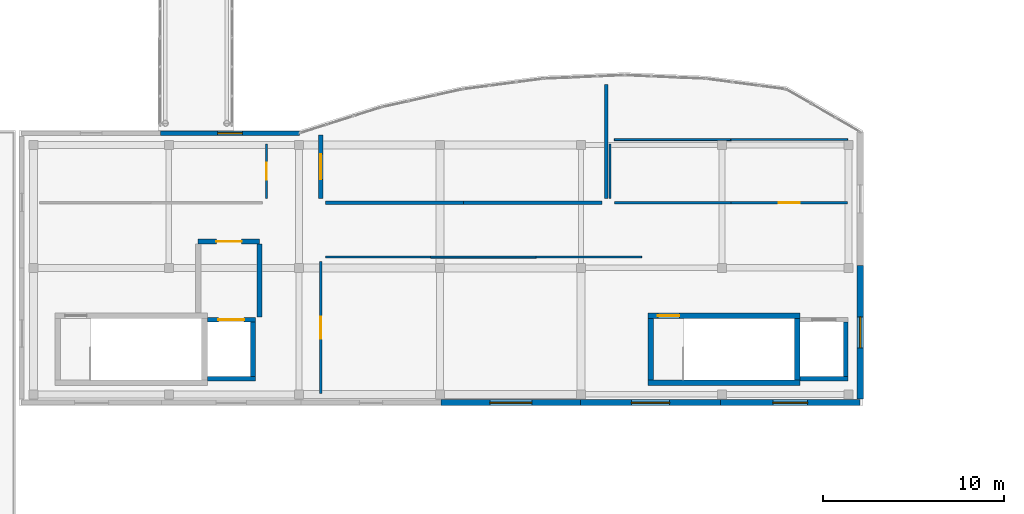
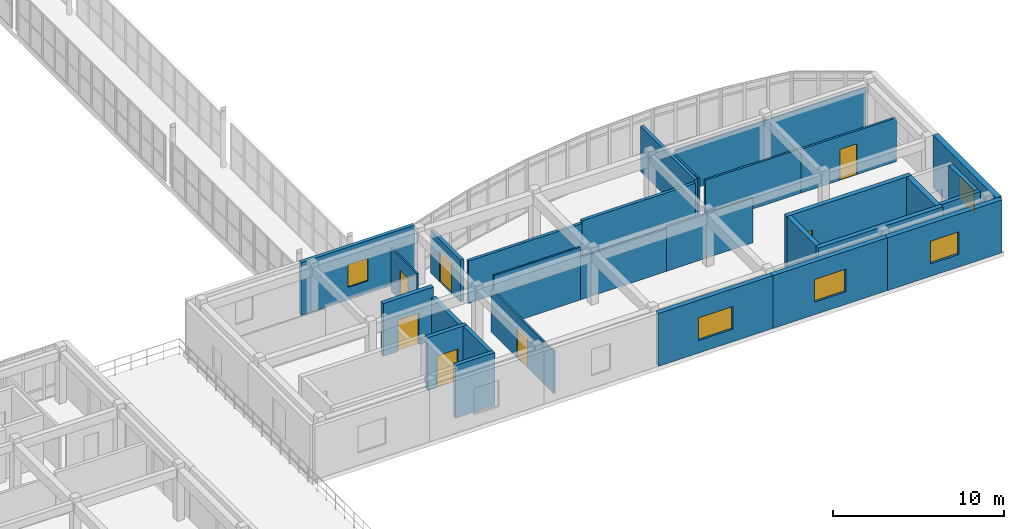
# One storey, part 48 of 52: 30 walls, 7 doors, 5 windows, 12 openings.
"""IFC4 building model written with IfcOpenShell, lengths in metres."""

from ifc_helpers import new_model, si_unit, direction, frame, frame_2d, origin, place, context, subcontext, project, spatial, rectangle, extrude, material, layer, layer_set, type_object, element, fill, save


model = new_model("IFC4")

# Units and contexts
model_context = context("Model", 3, precision=1e-05, world=origin(), true_north=direction((0.0, 1.0)))
body_context = subcontext(model_context, "Body", "Model", "MODEL_VIEW")
ifc_project = project(units=[si_unit("LENGTHUNIT", "METRE"), si_unit("AREAUNIT", "SQUARE_METRE"), si_unit("VOLUMEUNIT", "CUBIC_METRE"), si_unit("PLANEANGLEUNIT", "RADIAN"), si_unit("MASSUNIT", "GRAM", prefix="KILO")], contexts=[model_context])

# Site, building, storey
site_placement = place(None, origin())
site = spatial("IfcSite", under=ifc_project, at=site_placement, CompositionType="ELEMENT")
building_placement = place(site_placement, origin())
building = spatial("IfcBuilding", under=site, at=building_placement, Name="Valcora Specialist Clinic", CompositionType="ELEMENT")
storey_placement = place(building_placement, frame((0.0, 0.0, 17.679931640625)))
storey = spatial("IfcBuildingStorey", under=building, at=storey_placement, Name="L04", CompositionType="ELEMENT", Elevation=17.679931640625)

# Wall, opening, door
ifc_material_1 = material(Name="Concrete C40/50", Category="concrete")
ifc_layer_1 = layer(ifc_material_1, 0.284912109375)
ifc_layer_set_1 = layer_set([ifc_layer_1], Name="Concrete C40/50")
wall_type_1 = type_object("IfcWallType", Name="TY-WL-CR285", PredefinedType="SHEAR", material=ifc_layer_set_1)
wall_1_placement = place(storey_placement, frame((63.419921875, 16.659912109375, 0.0), z_axis=(0.0, 0.0, 1.0), x_axis=(1.0, 0.0, 0.0)))
wall_1 = element("IfcWall", 1, at=wall_1_placement, inside=storey, type_object=wall_type_1, Name="Firefighting lobby front wall WL-FFL-LF-07-L04-F", PredefinedType="SHEAR", context=body_context, shape_type="SweptSolid", body=[
    extrude(rectangle(XDim=3.400146484375, YDim=0.284912109375, at=frame_2d((1.7001953125, 0.0))), origin(), (0.0, 0.0, 1.0), 3.775146484375),
])
opening_1_placement = place(wall_1_placement, frame((1.0, 0.0, 0.0)))
opening_1 = element("IfcOpeningElement", 2, at=opening_1_placement, cuts=wall_1, Name="Opening DR-FF-140", PredefinedType="OPENING", context=body_context, shape_type="SweptSolid", body=[
    extrude(rectangle(XDim=1.39990234375, YDim=2.25, at=frame_2d((0.699951171875, 1.125))), frame((0.0, 0.15234375, 0.0), z_axis=(0.0, -1.0, 0.0), x_axis=(1.0, 0.0, 0.0)), (0.0, 0.0, 1.0), 0.304931640625),
])
ifc_material_2 = material(Name="Galvanized Hollow Metal Door Steel ASTM A653", Category="steel")
door_type_1 = type_object("IfcDoorType", Name="TY-DR-FF140", OperationType="NOTDEFINED", PredefinedType="DOOR", material=ifc_material_2)
door_1_placement = place(opening_1_placement, origin())
door_1 = element("IfcDoor", 3, at=door_1_placement, inside=storey, type_object=door_type_1, Name="Firefighting lobby fire door LF-07 L04", OperationType="SINGLE_SWING_RIGHT", OverallHeight=2.25, OverallWidth=1.39990234375, PredefinedType="DOOR", context=body_context, shape_type="SweptSolid", body=[
    extrude(rectangle(XDim=1.39990234375, YDim=2.25, at=frame_2d((0.699951171875, 1.125))), frame((0.0, 0.02490234375, 0.0), z_axis=(0.0, -1.0, 0.0), x_axis=(1.0, 0.0, 0.0)), (0.0, 0.0, 1.0), 0.050048828125),
])
fill(opening_1, door_1)

# Walls
wall_2_placement = place(storey_placement, frame((66.820068359375, 12.47998046875, 0.0), z_axis=(0.0, 0.0, 1.0), x_axis=(0.0, 1.0, 0.0)))
element("IfcWall", 4, at=wall_2_placement, inside=storey, type_object=wall_type_1, Name="Firefighting lobby east wall", PredefinedType="SHEAR", context=body_context, shape_type="SweptSolid", body=[
    extrude(rectangle(XDim=4.030029296875, YDim=0.284912109375, at=frame_2d((2.01513671875, 0.0))), origin(), (0.0, 0.0, 1.0), 3.074951171875),
])
ifc_layer_2 = layer(ifc_material_1, 0.300048828125)
ifc_layer_set_2 = layer_set([ifc_layer_2], Name="Concrete C40/50")
wall_type_2 = type_object("IfcWallType", Name="TY-WL-CR300", PredefinedType="SHEAR", material=ifc_layer_set_2)
wall_3_placement = place(storey_placement, frame((88.300048828125, 8.85009765625, 0.0), z_axis=(0.0, 0.0, 1.0), x_axis=(1.0, 0.0, 0.0)))
element("IfcWall", 5, at=wall_3_placement, inside=storey, type_object=wall_type_2, Name="Core shear wall WL-CR-C-V6B-L04-S", PredefinedType="SHEAR", context=body_context, shape_type="SweptSolid", body=[
    extrude(rectangle(XDim=8.419921875, YDim=0.300048828125, at=frame_2d((4.2099609375, 0.0))), origin(), (0.0, 0.0, 1.0), 3.775146484375),
])

# Wall, opening, door
wall_4_placement = place(storey_placement, frame((88.300048828125, 12.550048828125, 0.0), z_axis=(0.0, 0.0, 1.0), x_axis=(1.0, 0.0, 0.0)))
wall_4 = element("IfcWall", 6, at=wall_4_placement, inside=storey, type_object=wall_type_2, Name="Core shear wall WL-CR-C-V6B-L04-N", PredefinedType="SHEAR", context=body_context, shape_type="SweptSolid", body=[
    extrude(rectangle(XDim=8.419921875, YDim=0.300048828125, at=frame_2d((4.2099609375, 0.0))), origin(), (0.0, 0.0, 1.0), 3.775146484375),
])
opening_2_placement = place(wall_4_placement, frame((0.550048828125, 0.0, 0.0)))
opening_2 = element("IfcOpeningElement", 7, at=opening_2_placement, cuts=wall_4, Name="Opening DR-FD-120", PredefinedType="OPENING", context=body_context, shape_type="SweptSolid", body=[
    extrude(rectangle(XDim=1.199951171875, YDim=2.199951171875, at=frame_2d((0.60009765625, 1.10009765625))), frame((0.0, 0.159912109375, 0.0), z_axis=(0.0, -1.0, 0.0), x_axis=(1.0, 0.0, 0.0)), (0.0, 0.0, 1.0), 0.320068359375),
])
door_type_2 = type_object("IfcDoorType", Name="TY-DR-ST120", OperationType="NOTDEFINED", PredefinedType="DOOR", material=ifc_material_2)
door_2_placement = place(opening_2_placement, origin())
door_2 = element("IfcDoor", 8, at=door_2_placement, inside=storey, type_object=door_type_2, Name="Exit stair fire door C-V6B L04", OperationType="SINGLE_SWING_RIGHT", OverallHeight=2.199951171875, OverallWidth=1.199951171875, PredefinedType="DOOR", context=body_context, shape_type="SweptSolid", body=[
    extrude(rectangle(XDim=1.199951171875, YDim=2.199951171875, at=frame_2d((0.60009765625, 1.10009765625))), frame((0.0, 0.02490234375, 0.0), z_axis=(0.0, -1.0, 0.0), x_axis=(1.0, 0.0, 0.0)), (0.0, 0.0, 1.0), 0.050048828125),
])
fill(opening_2, door_2)

# Walls
wall_5_placement = place(storey_placement, frame((88.449951171875, 9.001953125, 0.0), z_axis=(0.0, 0.0, 1.0), x_axis=(0.0, 1.0, 0.0)))
element("IfcWall", 9, at=wall_5_placement, inside=storey, type_object=wall_type_2, Name="Core shear wall WL-CR-C-V6B-L04-W", PredefinedType="SHEAR", context=body_context, shape_type="SweptSolid", body=[
    extrude(rectangle(XDim=3.39599609375, YDim=0.300048828125, at=frame_2d((1.697998046875, 0.0))), origin(), (0.0, 0.0, 1.0), 3.775146484375),
])
ifc_layer_3 = layer(ifc_material_1, 0.320068359375)
ifc_layer_set_3 = layer_set([ifc_layer_3], Name="Concrete C40/50")
wall_type_3 = type_object("IfcWallType", Name="TY-WL-CR320", PredefinedType="SHEAR", material=ifc_layer_set_3)
wall_6_placement = place(storey_placement, frame((96.56005859375, 9.001953125, 0.0), z_axis=(0.0, 0.0, 1.0), x_axis=(0.0, 1.0, 0.0)))
element("IfcWall", 10, at=wall_6_placement, inside=storey, type_object=wall_type_3, Name="Core shear wall WL-CR-C-V6B-L04-E", PredefinedType="SHEAR", context=body_context, shape_type="SweptSolid", body=[
    extrude(rectangle(XDim=3.39599609375, YDim=0.320068359375, at=frame_2d((1.697998046875, 0.0))), origin(), (0.0, 0.0, 1.0), 3.775146484375),
])

# Wall, opening, window
ifc_material_3 = material(Name="Extruded Jalisco Clay Brick Masonry", Category="masonry")
ifc_layer_4 = layer(ifc_material_3, 0.235107421875)
ifc_layer_set_4 = layer_set([ifc_layer_4], Name="Extruded Jalisco Clay Brick Masonry")
wall_type_4 = type_object("IfcWallType", Name="TY-WL-EW235", PredefinedType="SOLIDWALL", material=ifc_layer_set_4)
wall_7_placement = place(storey_placement, frame((61.336669921875, 22.64990234375, 0.0), z_axis=(0.0, 0.0, 1.0), x_axis=(1.0, 0.0, 0.0)))
wall_7 = element("IfcWall", 11, at=wall_7_placement, inside=storey, type_object=wall_type_4, Name="Exterior wall WL-EXT-L04-0380", PredefinedType="SOLIDWALL", context=body_context, shape_type="SweptSolid", body=[
    extrude(rectangle(XDim=7.6865234375, YDim=0.235107421875, at=frame_2d((3.84326171875, 0.0))), origin(), (0.0, 0.0, 1.0), 3.775146484375),
])
opening_3_placement = place(wall_7_placement, frame((3.1630859375, 0.0, 0.89990234375)))
opening_3 = element("IfcOpeningElement", 12, at=opening_3_placement, cuts=wall_7, Name="Opening WN-33", PredefinedType="OPENING", context=body_context, shape_type="SweptSolid", body=[
    extrude(rectangle(XDim=1.360107421875, YDim=1.6201171875, at=frame_2d((0.68017578125, 0.81005859375))), frame((0.0, 0.12744140625, 0.0), z_axis=(0.0, -1.0, 0.0), x_axis=(1.0, 0.0, 0.0)), (0.0, 0.0, 1.0), 0.255126953125),
])
ifc_material_4 = material(Name="Low-E Laminated Insulating Glass", Category="glass")
window_type_1 = type_object("IfcWindowType", Name="TY-WN-33", PartitioningType="SINGLE_PANEL", PredefinedType="WINDOW", material=ifc_material_4)
window_1_placement = place(opening_3_placement, origin())
window_1 = element("IfcWindow", 13, at=window_1_placement, inside=storey, type_object=window_type_1, Name="Facade window WN-L04-0327", OverallHeight=1.6201171875, OverallWidth=1.360107421875, PartitioningType="SINGLE_PANEL", PredefinedType="WINDOW", context=body_context, shape_type="SweptSolid", body=[
    extrude(rectangle(XDim=1.360107421875, YDim=1.6201171875, at=frame_2d((0.68017578125, 0.81005859375))), frame((0.0, 0.030029296875, 0.0), z_axis=(0.0, -1.0, 0.0), x_axis=(1.0, 0.0, 0.0)), (0.0, 0.0, 1.0), 0.06005859375),
])
fill(opening_3, window_1)

ifc_layer_5 = layer(ifc_material_3, 0.31005859375)
ifc_layer_set_5 = layer_set([ifc_layer_5], Name="Extruded Jalisco Clay Brick Masonry")
wall_type_5 = type_object("IfcWallType", Name="TY-WL-EW310", PredefinedType="SOLIDWALL", material=ifc_layer_set_5)
wall_8_placement = place(storey_placement, frame((84.583251953125, 7.75, 0.0), z_axis=(0.0, 0.0, 1.0), x_axis=(-1.0, 0.0, 0.0)))
wall_8 = element("IfcWall", 14, at=wall_8_placement, inside=storey, type_object=wall_type_5, Name="Exterior wall WL-EXT-L04-0385", PredefinedType="SOLIDWALL", context=body_context, shape_type="SweptSolid", body=[
    extrude(rectangle(XDim=7.733154296875, YDim=0.31005859375, at=frame_2d((3.86669921875, 0.0))), origin(), (0.0, 0.0, 1.0), 3.775146484375),
])
opening_4_placement = place(wall_8_placement, frame((2.70703125, 0.0, 0.89990234375)))
opening_4 = element("IfcOpeningElement", 15, at=opening_4_placement, cuts=wall_8, Name="Opening WN-38", PredefinedType="OPENING", context=body_context, shape_type="SweptSolid", body=[
    extrude(rectangle(XDim=2.320068359375, YDim=1.6201171875, at=frame_2d((1.16015625, 0.81005859375))), frame((0.0, 0.1650390625, 0.0), z_axis=(0.0, -1.0, 0.0), x_axis=(1.0, 0.0, 0.0)), (0.0, 0.0, 1.0), 0.330078125),
])
window_type_2 = type_object("IfcWindowType", Name="TY-WN-38", PartitioningType="SINGLE_PANEL", PredefinedType="WINDOW", material=ifc_material_4)
window_2_placement = place(opening_4_placement, origin())
window_2 = element("IfcWindow", 16, at=window_2_placement, inside=storey, type_object=window_type_2, Name="Facade window WN-L04-0332", OverallHeight=1.6201171875, OverallWidth=2.320068359375, PartitioningType="SINGLE_PANEL", PredefinedType="WINDOW", context=body_context, shape_type="SweptSolid", body=[
    extrude(rectangle(XDim=2.320068359375, YDim=1.6201171875, at=frame_2d((1.16015625, 0.81005859375))), frame((0.0, 0.030029296875, 0.0), z_axis=(0.0, -1.0, 0.0), x_axis=(1.0, 0.0, 0.0)), (0.0, 0.0, 1.0), 0.06005859375),
])
fill(opening_4, window_2)

ifc_layer_6 = layer(ifc_material_3, 0.324951171875)
ifc_layer_set_6 = layer_set([ifc_layer_6], Name="Extruded Jalisco Clay Brick Masonry")
wall_type_6 = type_object("IfcWallType", Name="TY-WL-EW325", PredefinedType="SOLIDWALL", material=ifc_layer_set_6)
wall_9_placement = place(storey_placement, frame((92.316650390625, 7.75, 0.0), z_axis=(0.0, 0.0, 1.0), x_axis=(-1.0, 0.0, 0.0)))
wall_9 = element("IfcWall", 17, at=wall_9_placement, inside=storey, type_object=wall_type_6, Name="Exterior wall WL-EXT-L04-0384", PredefinedType="SOLIDWALL", context=body_context, shape_type="SweptSolid", body=[
    extrude(rectangle(XDim=7.7333984375, YDim=0.324951171875, at=frame_2d((3.86669921875, 0.0))), origin(), (0.0, 0.0, 1.0), 3.775146484375),
])
opening_5_placement = place(wall_9_placement, frame((2.806884765625, 0.0, 0.89990234375)))
opening_5 = element("IfcOpeningElement", 18, at=opening_5_placement, cuts=wall_9, Name="Opening WN-37", PredefinedType="OPENING", context=body_context, shape_type="SweptSolid", body=[
    extrude(rectangle(XDim=2.1201171875, YDim=1.6201171875, at=frame_2d((1.06005859375, 0.81005859375))), frame((0.0, 0.17236328125, 0.0), z_axis=(0.0, -1.0, 0.0), x_axis=(1.0, 0.0, 0.0)), (0.0, 0.0, 1.0), 0.344970703125),
])
window_type_3 = type_object("IfcWindowType", Name="TY-WN-37", PartitioningType="SINGLE_PANEL", PredefinedType="WINDOW", material=ifc_material_4)
window_3_placement = place(opening_5_placement, origin())
window_3 = element("IfcWindow", 19, at=window_3_placement, inside=storey, type_object=window_type_3, Name="Facade window WN-L04-0331", OverallHeight=1.6201171875, OverallWidth=2.1201171875, PartitioningType="SINGLE_PANEL", PredefinedType="WINDOW", context=body_context, shape_type="SweptSolid", body=[
    extrude(rectangle(XDim=2.1201171875, YDim=1.6201171875, at=frame_2d((1.06005859375, 0.81005859375))), frame((0.0, 0.030029296875, 0.0), z_axis=(0.0, -1.0, 0.0), x_axis=(1.0, 0.0, 0.0)), (0.0, 0.0, 1.0), 0.06005859375),
])
fill(opening_5, window_3)

ifc_layer_7 = layer(ifc_material_3, 0.340087890625)
ifc_layer_set_7 = layer_set([ifc_layer_7], Name="Extruded Jalisco Clay Brick Masonry")
wall_type_7 = type_object("IfcWallType", Name="TY-WL-EW340", PredefinedType="SOLIDWALL", material=ifc_layer_set_7)
wall_10_placement = place(storey_placement, frame((100.050048828125, 7.75, 0.0), z_axis=(0.0, 0.0, 1.0), x_axis=(-1.0, 0.0, 0.0)))
wall_10 = element("IfcWall", 20, at=wall_10_placement, inside=storey, type_object=wall_type_7, Name="Exterior wall WL-EXT-L04-0383", PredefinedType="SOLIDWALL", context=body_context, shape_type="SweptSolid", body=[
    extrude(rectangle(XDim=7.7333984375, YDim=0.340087890625, at=frame_2d((3.86669921875, 0.0))), origin(), (0.0, 0.0, 1.0), 3.775146484375),
])
opening_6_placement = place(wall_10_placement, frame((2.906982421875, 0.0, 0.89990234375)))
opening_6 = element("IfcOpeningElement", 21, at=opening_6_placement, cuts=wall_10, Name="Opening WN-36", PredefinedType="OPENING", context=body_context, shape_type="SweptSolid", body=[
    extrude(rectangle(XDim=1.919921875, YDim=1.6201171875, at=frame_2d((0.9599609375, 0.81005859375))), frame((0.0, 0.179931640625, 0.0), z_axis=(0.0, -1.0, 0.0), x_axis=(1.0, 0.0, 0.0)), (0.0, 0.0, 1.0), 0.360107421875),
])
window_type_4 = type_object("IfcWindowType", Name="TY-WN-36", PartitioningType="SINGLE_PANEL", PredefinedType="WINDOW", material=ifc_material_4)
window_4_placement = place(opening_6_placement, origin())
window_4 = element("IfcWindow", 22, at=window_4_placement, inside=storey, type_object=window_type_4, Name="Facade window WN-L04-0330", OverallHeight=1.6201171875, OverallWidth=1.919921875, PartitioningType="SINGLE_PANEL", PredefinedType="WINDOW", context=body_context, shape_type="SweptSolid", body=[
    extrude(rectangle(XDim=1.919921875, YDim=1.6201171875, at=frame_2d((0.9599609375, 0.81005859375))), frame((0.0, 0.030029296875, 0.0), z_axis=(0.0, -1.0, 0.0), x_axis=(1.0, 0.0, 0.0)), (0.0, 0.0, 1.0), 0.06005859375),
])
fill(opening_6, window_4)

ifc_layer_8 = layer(ifc_material_3, 0.35498046875)
ifc_layer_set_8 = layer_set([ifc_layer_8], Name="Extruded Jalisco Clay Brick Masonry")
wall_type_8 = type_object("IfcWallType", Name="TY-WL-EW355", PredefinedType="SOLIDWALL", material=ifc_layer_set_8)
wall_11_placement = place(storey_placement, frame((100.050048828125, 15.326904296875, 0.0), z_axis=(0.0, 0.0, 1.0), x_axis=(0.0, -1.0, 0.0)))
wall_11 = element("IfcWall", 23, at=wall_11_placement, inside=storey, type_object=wall_type_8, Name="Exterior wall WL-EXT-L04-0382", PredefinedType="SOLIDWALL", context=body_context, shape_type="SweptSolid", body=[
    extrude(rectangle(XDim=7.386962890625, YDim=0.35498046875, at=frame_2d((3.693359375, 0.0))), origin(), (0.0, 0.0, 1.0), 3.775146484375),
])
opening_7_placement = place(wall_11_placement, frame((2.8330078125, 0.0, 0.89990234375)))
opening_7 = element("IfcOpeningElement", 24, at=opening_7_placement, cuts=wall_11, Name="Opening WN-35", PredefinedType="OPENING", context=body_context, shape_type="SweptSolid", body=[
    extrude(rectangle(XDim=1.719970703125, YDim=1.6201171875, at=frame_2d((0.85986328125, 0.81005859375))), frame((0.0, 0.1875, 0.0), z_axis=(0.0, -1.0, 0.0), x_axis=(1.0, 0.0, 0.0)), (0.0, 0.0, 1.0), 0.375),
])
window_type_5 = type_object("IfcWindowType", Name="TY-WN-35", PartitioningType="SINGLE_PANEL", PredefinedType="WINDOW", material=ifc_material_4)
window_5_placement = place(opening_7_placement, origin())
window_5 = element("IfcWindow", 25, at=window_5_placement, inside=storey, type_object=window_type_5, Name="Facade window WN-L04-0329", OverallHeight=1.6201171875, OverallWidth=1.719970703125, PartitioningType="SINGLE_PANEL", PredefinedType="WINDOW", context=body_context, shape_type="SweptSolid", body=[
    extrude(rectangle(XDim=1.719970703125, YDim=1.6201171875, at=frame_2d((0.85986328125, 0.81005859375))), frame((0.0, 0.030029296875, 0.0), z_axis=(0.0, -1.0, 0.0), x_axis=(1.0, 0.0, 0.0)), (0.0, 0.0, 1.0), 0.06005859375),
])
fill(opening_7, window_5)

# Walls
ifc_material_5 = material(Name="Gypsum Board Partition Assembly")
ifc_layer_9 = layer(ifc_material_5, 0.094970703125)
ifc_layer_set_9 = layer_set([ifc_layer_9], Name="Gypsum Board Partition Assembly")
wall_type_9 = type_object("IfcWallType", Name="TY-WL-PT095", PredefinedType="PARTITIONING", material=ifc_layer_set_9)
wall_12_placement = place(storey_placement, frame((82.116943359375, 15.800048828125, 0.0), z_axis=(0.0, 0.0, 1.0), x_axis=(1.0, 0.0, 0.0)))
element("IfcWall", 26, at=wall_12_placement, inside=storey, type_object=wall_type_9, Name="Interior partition WL-INT-L04-0479", PredefinedType="PARTITIONING", context=body_context, shape_type="SweptSolid", body=[
    extrude(rectangle(XDim=5.8330078125, YDim=0.094970703125, at=frame_2d((2.91650390625, 0.0))), origin(), (0.0, 0.0, 1.0), 3.22509765625),
])
wall_13_placement = place(storey_placement, frame((92.89990234375, 22.300048828125, 0.0), z_axis=(0.0, 0.0, 1.0), x_axis=(1.0, 0.0, 0.0)))
element("IfcWall", 27, at=wall_13_placement, inside=storey, type_object=wall_type_9, Name="Interior partition WL-INT-L04-0485", PredefinedType="PARTITIONING", context=body_context, shape_type="SweptSolid", body=[
    extrude(rectangle(XDim=6.4501953125, YDim=0.094970703125, at=frame_2d((3.22509765625, 0.0))), origin(), (0.0, 0.0, 1.0), 3.175048828125),
])
ifc_layer_10 = layer(ifc_material_5, 0.10498046875)
ifc_layer_set_10 = layer_set([ifc_layer_10], Name="Gypsum Board Partition Assembly")
wall_type_10 = type_object("IfcWallType", Name="TY-WL-PT105", PredefinedType="PARTITIONING", material=ifc_layer_set_10)
wall_14_placement = place(storey_placement, frame((76.282958984375, 15.800048828125, 0.0), z_axis=(0.0, 0.0, 1.0), x_axis=(1.0, 0.0, 0.0)))
element("IfcWall", 28, at=wall_14_placement, inside=storey, type_object=wall_type_10, Name="Interior partition WL-INT-L04-0478", PredefinedType="PARTITIONING", context=body_context, shape_type="SweptSolid", body=[
    extrude(rectangle(XDim=5.833984375, YDim=0.10498046875, at=frame_2d((2.9169921875, 0.0))), origin(), (0.0, 0.0, 1.0), 3.025146484375),
])
wall_15_placement = place(storey_placement, frame((86.449951171875, 22.300048828125, 0.0), z_axis=(0.0, 0.0, 1.0), x_axis=(1.0, 0.0, 0.0)))
element("IfcWall", 29, at=wall_15_placement, inside=storey, type_object=wall_type_10, Name="Interior partition WL-INT-L04-0484", PredefinedType="PARTITIONING", context=body_context, shape_type="SweptSolid", body=[
    extrude(rectangle(XDim=6.449951171875, YDim=0.10498046875, at=frame_2d((3.22509765625, 0.0))), origin(), (0.0, 0.0, 1.0), 3.175048828125),
])
ifc_layer_11 = layer(ifc_material_5, 0.114990234375)
ifc_layer_set_11 = layer_set([ifc_layer_11], Name="Gypsum Board Partition Assembly")
wall_type_11 = type_object("IfcWallType", Name="TY-WL-PT115", PredefinedType="PARTITIONING", material=ifc_layer_set_11)
wall_16_placement = place(storey_placement, frame((70.449951171875, 15.800048828125, 0.0), z_axis=(0.0, 0.0, 1.0), x_axis=(1.0, 0.0, 0.0)))
element("IfcWall", 30, at=wall_16_placement, inside=storey, type_object=wall_type_11, Name="Interior partition WL-INT-L04-0477", PredefinedType="PARTITIONING", context=body_context, shape_type="SweptSolid", body=[
    extrude(rectangle(XDim=5.8330078125, YDim=0.114990234375, at=frame_2d((2.91650390625, 0.0))), origin(), (0.0, 0.0, 1.0), 3.775146484375),
])

# Wall, opening, door
wall_17_placement = place(storey_placement, frame((67.199951171875, 22.050048828125, 0.0), z_axis=(0.0, 0.0, 1.0), x_axis=(0.0, -1.0, 0.0)))
wall_17 = element("IfcWall", 31, at=wall_17_placement, inside=storey, type_object=wall_type_11, Name="Interior partition WL-INT-L04-0489", PredefinedType="PARTITIONING", context=body_context, shape_type="SweptSolid", body=[
    extrude(rectangle(XDim=3.0, YDim=0.114990234375, at=frame_2d((1.5, 0.0))), origin(), (0.0, 0.0, 1.0), 3.074951171875),
])
opening_8_placement = place(wall_17_placement, frame((1.0400390625, 0.0, 0.0)))
opening_8 = element("IfcOpeningElement", 32, at=opening_8_placement, cuts=wall_17, Name="Opening DR-WC-092", PredefinedType="OPENING", context=body_context, shape_type="SweptSolid", body=[
    extrude(rectangle(XDim=0.919921875, YDim=2.1201171875, at=frame_2d((0.4599609375, 1.06005859375))), frame((0.0, 0.0673828125, 0.0), z_axis=(0.0, -1.0, 0.0), x_axis=(1.0, 0.0, 0.0)), (0.0, 0.0, 1.0), 0.135009765625),
])
ifc_material_6 = material(Name="Glulam Conifer Class 24F", Category="wood")
door_type_3 = type_object("IfcDoorType", Name="TY-DR-WC092", OperationType="NOTDEFINED", PredefinedType="DOOR", material=ifc_material_6)
door_3_placement = place(opening_8_placement, origin())
door_3 = element("IfcDoor", 33, at=door_3_placement, inside=storey, type_object=door_type_3, Name="Interior door DR-INT-L04-0137", OperationType="SINGLE_SWING_LEFT", OverallHeight=2.1201171875, OverallWidth=0.919921875, PredefinedType="DOOR", context=body_context, shape_type="SweptSolid", body=[
    extrude(rectangle(XDim=0.919921875, YDim=2.1201171875, at=frame_2d((0.4599609375, 1.06005859375))), frame((0.0, 0.02490234375, 0.0), z_axis=(0.0, -1.0, 0.0), x_axis=(1.0, 0.0, 0.0)), (0.0, 0.0, 1.0), 0.050048828125),
])
fill(opening_8, door_3)

ifc_layer_12 = layer(ifc_material_5, 0.125)
ifc_layer_set_12 = layer_set([ifc_layer_12], Name="Gypsum Board Partition Assembly")
wall_type_12 = type_object("IfcWallType", Name="TY-WL-PT125", PredefinedType="PARTITIONING", material=ifc_layer_set_12)
wall_18_placement = place(storey_placement, frame((70.199951171875, 8.25, 0.0), z_axis=(0.0, 0.0, 1.0), x_axis=(0.0, 1.0, 0.0)))
wall_18 = element("IfcWall", 34, at=wall_18_placement, inside=storey, type_object=wall_type_12, Name="Interior partition WL-INT-L04-0476", PredefinedType="PARTITIONING", context=body_context, shape_type="SweptSolid", body=[
    extrude(rectangle(XDim=7.300048828125, YDim=0.125, at=frame_2d((3.64990234375, 0.0))), origin(), (0.0, 0.0, 1.0), 3.025146484375),
])
opening_9_placement = place(wall_18_placement, frame((3.0400390625, 0.0, 0.0)))
opening_9 = element("IfcOpeningElement", 35, at=opening_9_placement, cuts=wall_18, Name="Opening DR-CN-122", PredefinedType="OPENING", context=body_context, shape_type="SweptSolid", body=[
    extrude(rectangle(XDim=1.219970703125, YDim=2.199951171875, at=frame_2d((0.60986328125, 1.10009765625))), frame((0.0, 0.072509765625, 0.0), z_axis=(0.0, -1.0, 0.0), x_axis=(1.0, 0.0, 0.0)), (0.0, 0.0, 1.0), 0.14501953125),
])
door_type_4 = type_object("IfcDoorType", Name="TY-DR-CN122", OperationType="NOTDEFINED", PredefinedType="DOOR", material=ifc_material_6)
door_4_placement = place(opening_9_placement, origin())
door_4 = element("IfcDoor", 36, at=door_4_placement, inside=storey, type_object=door_type_4, Name="Interior door DR-INT-L04-0134", OperationType="SINGLE_SWING_RIGHT", OverallHeight=2.199951171875, OverallWidth=1.219970703125, PredefinedType="DOOR", context=body_context, shape_type="SweptSolid", body=[
    extrude(rectangle(XDim=1.219970703125, YDim=2.199951171875, at=frame_2d((0.60986328125, 1.10009765625))), frame((0.0, 0.02490234375, 0.0), z_axis=(0.0, -1.0, 0.0), x_axis=(1.0, 0.0, 0.0)), (0.0, 0.0, 1.0), 0.050048828125),
])
fill(opening_9, door_4)

# Walls
wall_19_placement = place(storey_placement, frame((86.199951171875, 19.050048828125, 0.0), z_axis=(0.0, 0.0, 1.0), x_axis=(0.0, 1.0, 0.0)))
element("IfcWall", 37, at=wall_19_placement, inside=storey, type_object=wall_type_12, Name="Interior partition WL-INT-L04-0488", PredefinedType="PARTITIONING", context=body_context, shape_type="SweptSolid", body=[
    extrude(rectangle(XDim=3.0, YDim=0.125, at=frame_2d((1.5, 0.0))), origin(), (0.0, 0.0, 1.0), 3.22509765625),
])
ifc_layer_13 = layer(ifc_material_5, 0.135009765625)
ifc_layer_set_13 = layer_set([ifc_layer_13], Name="Gypsum Board Partition Assembly")
wall_type_13 = type_object("IfcWallType", Name="TY-WL-PT135", PredefinedType="PARTITIONING", material=ifc_layer_set_13)
wall_20_placement = place(storey_placement, frame((92.89990234375, 18.800048828125, 0.0), z_axis=(0.0, 0.0, 1.0), x_axis=(-1.0, 0.0, 0.0)))
element("IfcWall", 38, at=wall_20_placement, inside=storey, type_object=wall_type_13, Name="Interior partition WL-INT-L04-0487", PredefinedType="PARTITIONING", context=body_context, shape_type="SweptSolid", body=[
    extrude(rectangle(XDim=6.449951171875, YDim=0.135009765625, at=frame_2d((3.22509765625, 0.0))), origin(), (0.0, 0.0, 1.0), 3.175048828125),
])

# Wall, opening, door
ifc_layer_14 = layer(ifc_material_5, 0.14501953125)
ifc_layer_set_14 = layer_set([ifc_layer_14], Name="Gypsum Board Partition Assembly")
wall_type_14 = type_object("IfcWallType", Name="TY-WL-PT145", PredefinedType="PARTITIONING", material=ifc_layer_set_14)
wall_21_placement = place(storey_placement, frame((99.35009765625, 18.800048828125, 0.0), z_axis=(0.0, 0.0, 1.0), x_axis=(-1.0, 0.0, 0.0)))
wall_21 = element("IfcWall", 39, at=wall_21_placement, inside=storey, type_object=wall_type_14, Name="Interior partition WL-INT-L04-0486", PredefinedType="PARTITIONING", context=body_context, shape_type="SweptSolid", body=[
    extrude(rectangle(XDim=6.4501953125, YDim=0.14501953125, at=frame_2d((3.22509765625, 0.0))), origin(), (0.0, 0.0, 1.0), 3.125),
])
opening_10_placement = place(wall_21_placement, frame((2.655029296875, 0.0, 0.0)))
opening_10 = element("IfcOpeningElement", 40, at=opening_10_placement, cuts=wall_21, Name="Opening DR-CN-114", PredefinedType="OPENING", context=body_context, shape_type="SweptSolid", body=[
    extrude(rectangle(XDim=1.139892578125, YDim=2.199951171875, at=frame_2d((0.56982421875, 1.10009765625))), frame((0.0, 0.08251953125, 0.0), z_axis=(0.0, -1.0, 0.0), x_axis=(1.0, 0.0, 0.0)), (0.0, 0.0, 1.0), 0.1650390625),
])
door_type_5 = type_object("IfcDoorType", Name="TY-DR-CN114", OperationType="NOTDEFINED", PredefinedType="DOOR", material=ifc_material_6)
door_5_placement = place(opening_10_placement, origin())
door_5 = element("IfcDoor", 41, at=door_5_placement, inside=storey, type_object=door_type_5, Name="Interior door DR-INT-L04-0136", OperationType="SINGLE_SWING_RIGHT", OverallHeight=2.199951171875, OverallWidth=1.139892578125, PredefinedType="DOOR", context=body_context, shape_type="SweptSolid", body=[
    extrude(rectangle(XDim=1.139892578125, YDim=2.199951171875, at=frame_2d((0.56982421875, 1.10009765625))), frame((0.0, 0.02490234375, 0.0), z_axis=(0.0, -1.0, 0.0), x_axis=(1.0, 0.0, 0.0)), (0.0, 0.0, 1.0), 0.050048828125),
])
fill(opening_10, door_5)

# Walls
ifc_layer_15 = layer(ifc_material_5, 0.195068359375)
ifc_layer_set_15 = layer_set([ifc_layer_15], Name="Gypsum Board Partition Assembly")
wall_type_15 = type_object("IfcWallType", Name="TY-WL-PT195", PredefinedType="PARTITIONING", material=ifc_layer_set_15)
wall_22_placement = place(storey_placement, frame((78.10009765625, 18.800048828125, 0.0), z_axis=(0.0, 0.0, 1.0), x_axis=(-1.0, 0.0, 0.0)))
element("IfcWall", 42, at=wall_22_placement, inside=storey, type_object=wall_type_15, Name="Interior partition WL-INT-L04-0483", PredefinedType="PARTITIONING", context=body_context, shape_type="SweptSolid", body=[
    extrude(rectangle(XDim=7.650146484375, YDim=0.195068359375, at=frame_2d((3.8251953125, 0.0))), origin(), (0.0, 0.0, 1.0), 3.025146484375),
])
ifc_material_7 = material(Name="Lead-Lined Gypsum Partition Assembly")
ifc_layer_16 = layer(ifc_material_7, 0.205078125)
ifc_layer_set_16 = layer_set([ifc_layer_16], Name="Lead-Lined Gypsum Partition Assembly")
wall_type_16 = type_object("IfcWallType", Name="TY-WL-PT205", PredefinedType="PARTITIONING", material=ifc_layer_set_16)
wall_23_placement = place(storey_placement, frame((85.75, 18.800048828125, 0.0), z_axis=(0.0, 0.0, 1.0), x_axis=(-1.0, 0.0, 0.0)))
element("IfcWall", 43, at=wall_23_placement, inside=storey, type_object=wall_type_16, Name="Interior partition WL-INT-L04-0482", PredefinedType="PARTITIONING", context=body_context, shape_type="SweptSolid", body=[
    extrude(rectangle(XDim=7.64990234375, YDim=0.205078125, at=frame_2d((3.824951171875, 0.0))), origin(), (0.0, 0.0, 1.0), 3.22509765625),
])
ifc_layer_17 = layer(ifc_material_7, 0.215087890625)
ifc_layer_set_17 = layer_set([ifc_layer_17], Name="Lead-Lined Gypsum Partition Assembly")
wall_type_17 = type_object("IfcWallType", Name="TY-WL-PT215", PredefinedType="PARTITIONING", material=ifc_layer_set_17)
wall_24_placement = place(storey_placement, frame((86.0, 25.361083984375, 0.0), z_axis=(0.0, 0.0, 1.0), x_axis=(0.0, -1.0, 0.0)))
element("IfcWall", 44, at=wall_24_placement, inside=storey, type_object=wall_type_17, Name="Interior partition WL-INT-L04-0481", PredefinedType="PARTITIONING", context=body_context, shape_type="SweptSolid", body=[
    extrude(rectangle(XDim=6.31103515625, YDim=0.215087890625, at=frame_2d((3.155517578125, 0.0))), origin(), (0.0, 0.0, 1.0), 3.22509765625),
])

# Wall, opening, door
ifc_layer_18 = layer(ifc_material_7, 0.22998046875)
ifc_layer_set_18 = layer_set([ifc_layer_18], Name="Lead-Lined Gypsum Partition Assembly")
wall_type_18 = type_object("IfcWallType", Name="TY-WL-PT230", PredefinedType="PARTITIONING", material=ifc_layer_set_18)
wall_25_placement = place(storey_placement, frame((70.199951171875, 19.050048828125, 0.0), z_axis=(0.0, 0.0, 1.0), x_axis=(0.0, 1.0, 0.0)))
wall_25 = element("IfcWall", 45, at=wall_25_placement, inside=storey, type_object=wall_type_18, Name="Interior partition WL-INT-L04-0480", PredefinedType="PARTITIONING", context=body_context, shape_type="SweptSolid", body=[
    extrude(rectangle(XDim=3.50390625, YDim=0.22998046875, at=frame_2d((1.751953125, 0.0))), origin(), (0.0, 0.0, 1.0), 3.025146484375),
])
opening_11_placement = place(wall_25_placement, frame((1.052001953125, 0.0, 0.0)))
opening_11 = element("IfcOpeningElement", 46, at=opening_11_placement, cuts=wall_25, Name="Opening DR-LB-140", PredefinedType="OPENING", context=body_context, shape_type="SweptSolid", body=[
    extrude(rectangle(XDim=1.39990234375, YDim=2.199951171875, at=frame_2d((0.699951171875, 1.10009765625))), frame((0.0, 0.125, 0.0), z_axis=(0.0, -1.0, 0.0), x_axis=(1.0, 0.0, 0.0)), (0.0, 0.0, 1.0), 0.25),
])
ifc_material_8 = material(Name="Anodized Bronze Aluminium 6063-T6", Category="aluminium")
door_type_6 = type_object("IfcDoorType", Name="TY-DR-LB140", OperationType="NOTDEFINED", PredefinedType="DOOR", material=ifc_material_8)
door_6_placement = place(opening_11_placement, origin())
door_6 = element("IfcDoor", 47, at=door_6_placement, inside=storey, type_object=door_type_6, Name="Interior door DR-INT-L04-0135", OperationType="SINGLE_SWING_LEFT", OverallHeight=2.199951171875, OverallWidth=1.39990234375, PredefinedType="DOOR", context=body_context, shape_type="SweptSolid", body=[
    extrude(rectangle(XDim=1.39990234375, YDim=2.199951171875, at=frame_2d((0.699951171875, 1.10009765625))), frame((0.0, 0.02490234375, 0.0), z_axis=(0.0, -1.0, 0.0), x_axis=(1.0, 0.0, 0.0)), (0.0, 0.0, 1.0), 0.050048828125),
])
fill(opening_11, door_6)

# Wall
ifc_layer_19 = layer(ifc_material_1, 0.260009765625)
ifc_layer_set_19 = layer_set([ifc_layer_19], Name="Concrete C40/50")
wall_type_19 = type_object("IfcWallType", Name="TY-WL-SH260", PredefinedType="SHEAR", material=ifc_layer_set_19)
wall_26_placement = place(storey_placement, frame((63.922119140625, 9.070068359375, 0.0), z_axis=(0.0, 0.0, 1.0), x_axis=(1.0, 0.0, 0.0)))
element("IfcWall", 48, at=wall_26_placement, inside=storey, type_object=wall_type_19, Name="Lift shaft wall WL-LF-LF-07-L04-LS", PredefinedType="SHEAR", context=body_context, shape_type="SweptSolid", body=[
    extrude(rectangle(XDim=2.657958984375, YDim=0.260009765625, at=frame_2d((1.3291015625, 0.0))), origin(), (0.0, 0.0, 1.0), 3.775146484375),
])

# Wall, opening, door
wall_27_placement = place(storey_placement, frame((63.922119140625, 12.330078125, 0.0), z_axis=(0.0, 0.0, 1.0), x_axis=(1.0, 0.0, 0.0)))
wall_27 = element("IfcWall", 49, at=wall_27_placement, inside=storey, type_object=wall_type_19, Name="Lift shaft wall WL-LF-LF-07-L04-LN", PredefinedType="SHEAR", context=body_context, shape_type="SweptSolid", body=[
    extrude(rectangle(XDim=2.657958984375, YDim=0.260009765625, at=frame_2d((1.3291015625, 0.0))), origin(), (0.0, 0.0, 1.0), 3.775146484375),
])
opening_12_placement = place(wall_27_placement, frame((0.618896484375, 0.0, 0.0)))
opening_12 = element("IfcOpeningElement", 50, at=opening_12_placement, cuts=wall_27, Name="Opening LD-142", PredefinedType="OPENING", context=body_context, shape_type="SweptSolid", body=[
    extrude(rectangle(XDim=1.419921875, YDim=2.25, at=frame_2d((0.7099609375, 1.125))), frame((0.0, 0.139892578125, 0.0), z_axis=(0.0, -1.0, 0.0), x_axis=(1.0, 0.0, 0.0)), (0.0, 0.0, 1.0), 0.280029296875),
])
ifc_material_9 = material(Name="Stainless Steel AISI 316", Category="steel")
door_type_7 = type_object("IfcDoorType", Name="TY-LD-142", OperationType="NOTDEFINED", PredefinedType="DOOR", material=ifc_material_9)
door_7_placement = place(opening_12_placement, origin())
door_7 = element("IfcDoor", 51, at=door_7_placement, inside=storey, type_object=door_type_7, Name="Lift landing sliding door LF-07 L04", OperationType="SLIDING_TO_RIGHT", OverallHeight=2.25, OverallWidth=1.419921875, PredefinedType="DOOR", context=body_context, shape_type="SweptSolid", body=[
    extrude(rectangle(XDim=1.419921875, YDim=2.25, at=frame_2d((0.7099609375, 1.125))), frame((0.0, 0.02490234375, 0.0), z_axis=(0.0, -1.0, 0.0), x_axis=(1.0, 0.0, 0.0)), (0.0, 0.0, 1.0), 0.050048828125),
])
fill(opening_12, door_7)

# Walls
wall_28_placement = place(storey_placement, frame((66.449951171875, 9.201904296875, 0.0), z_axis=(0.0, 0.0, 1.0), x_axis=(0.0, 1.0, 0.0)))
element("IfcWall", 52, at=wall_28_placement, inside=storey, type_object=wall_type_19, Name="Lift shaft wall WL-LF-LF-07-L04-LE", PredefinedType="SHEAR", context=body_context, shape_type="SweptSolid", body=[
    extrude(rectangle(XDim=2.99609375, YDim=0.260009765625, at=frame_2d((1.498046875, 0.0))), origin(), (0.0, 0.0, 1.0), 3.775146484375),
])
wall_29_placement = place(storey_placement, frame((96.721923828125, 9.070068359375, 0.0), z_axis=(0.0, 0.0, 1.0), x_axis=(1.0, 0.0, 0.0)))
element("IfcWall", 53, at=wall_29_placement, inside=storey, type_object=wall_type_19, Name="Lift shaft wall WL-LF-LF-08-L04-LS", PredefinedType="SHEAR", context=body_context, shape_type="SweptSolid", body=[
    extrude(rectangle(XDim=2.657958984375, YDim=0.260009765625, at=frame_2d((1.3291015625, 0.0))), origin(), (0.0, 0.0, 1.0), 3.775146484375),
])
wall_30_placement = place(storey_placement, frame((99.25, 9.201904296875, 0.0), z_axis=(0.0, 0.0, 1.0), x_axis=(0.0, 1.0, 0.0)))
element("IfcWall", 54, at=wall_30_placement, inside=storey, type_object=wall_type_19, Name="Lift shaft wall WL-LF-LF-08-L04-LE", PredefinedType="SHEAR", context=body_context, shape_type="SweptSolid", body=[
    extrude(rectangle(XDim=2.99609375, YDim=0.260009765625, at=frame_2d((1.498046875, 0.0))), origin(), (0.0, 0.0, 1.0), 3.775146484375),
])

save(model, "model.ifc")
